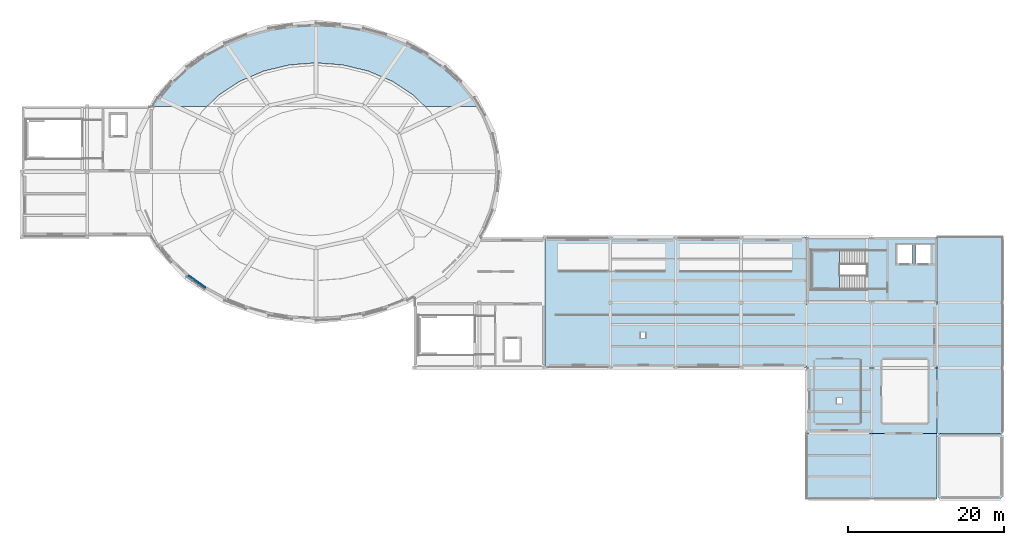
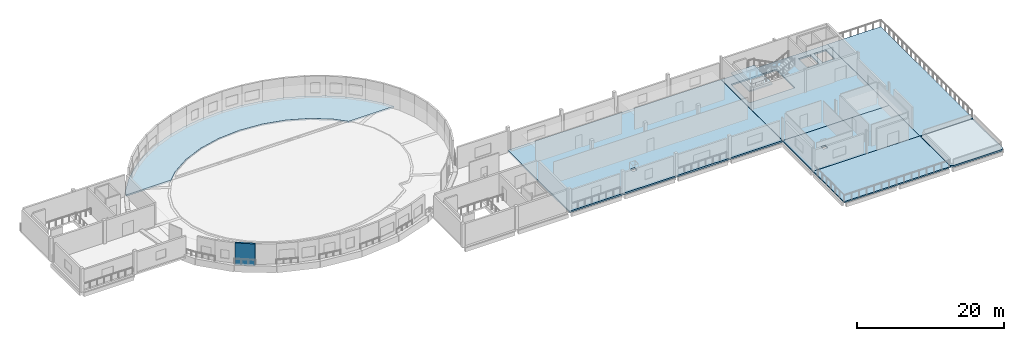
# One storey, part 6 of 16: 8 slabs, 1 wall, 1 element without a shape of its own.
"""IFC4 building model written with IfcOpenShell, lengths in metres."""

from ifc_helpers import new_model, si_unit, derived_unit, direction, frame, frame_2d, origin, place, context, subcontext, project, spatial, polyline, rectangle, outline, extrude, material, layer, layer_set, type_object, element, aggregate, save


model = new_model("IFC4")

# Units and contexts
model_context = context("Model", 3, precision=1e-05, world=origin(), true_north=direction((0.0, 1.0)))
body_context = subcontext(model_context, "Body", "Model", "MODEL_VIEW")
ifc_project = project(units=[si_unit("LENGTHUNIT", "METRE"), si_unit("AREAUNIT", "SQUARE_METRE"), si_unit("VOLUMEUNIT", "CUBIC_METRE"), si_unit("PLANEANGLEUNIT", "RADIAN"), si_unit("MASSUNIT", "GRAM", prefix="KILO"), derived_unit("THERMALTRANSMITTANCEUNIT", [(si_unit("POWERUNIT", "WATT"), 1), (si_unit("LENGTHUNIT", "METRE"), -2), (si_unit("THERMODYNAMICTEMPERATUREUNIT", "KELVIN"), -1)])], contexts=[model_context])

# Site, building, storey
site_placement = place(None, origin())
site = spatial("IfcSite", under=ifc_project, at=site_placement, CompositionType="ELEMENT")
building_placement = place(site_placement, origin())
building = spatial("IfcBuilding", under=site, at=building_placement, Name="Elbkamm Science Centre", CompositionType="ELEMENT")
storey_placement = place(building_placement, frame((0.0, 0.0, 21.60009765625)))
storey = spatial("IfcBuildingStorey", under=building, at=storey_placement, Name="L05", CompositionType="ELEMENT", Elevation=21.60009765625)

# Slabs
ifc_material_1 = material(Name="Exposed freeze-thaw concrete C40/50", Category="concrete")
ifc_layer_1 = layer(ifc_material_1, 0.219970703125)
ifc_layer_set_1 = layer_set([ifc_layer_1], Name="Exposed freeze-thaw concrete C40/50")
slab_type_1 = type_object("IfcSlabType", Name="SLAB-DECK-220", PredefinedType="FLOOR", material=ifc_layer_set_1)
slab_1_placement = place(storey_placement, frame((0.0, 0.0, -0.22021484375)))
element("IfcSlab", 1, at=slab_1_placement, inside=storey, type_object=slab_type_1, Name="South Rooftop Observatory Terrace", PredefinedType="FLOOR", context=body_context, shape_type="SweptSolid", body=[
    extrude(outline(polyline([(126.02490234375, 25.199951171875), (126.02490234375, 33.594970703125), (142.800048828125, 33.594970703125), (142.800048828125, 25.199951171875), (126.02490234375, 25.199951171875)])), origin(), (0.0, 0.0, 1.0), 0.22021484375),
])
slab_2_placement = place(storey_placement, frame((0.0, 0.0, -0.22021484375)))
element("IfcSlab", 2, at=slab_2_placement, inside=storey, type_object=slab_type_1, Name="East Elbe Panorama Observatory Terrace", PredefinedType="FLOOR", context=body_context, shape_type="SweptSolid", body=[
    extrude(outline(polyline([(151.199951171875, 33.60009765625), (142.804931640625, 33.60009765625), (142.804931640625, 58.800048828125), (151.199951171875, 58.800048828125), (151.199951171875, 33.60009765625)])), origin(), (0.0, 0.0, 1.0), 0.22021484375),
])
ifc_material_2 = material(Name="Reinforced concrete C40/50", Category="concrete")
ifc_layer_2 = layer(ifc_material_2, 0.260009765625)
ifc_layer_set_2 = layer_set([ifc_layer_2], Name="Reinforced concrete C40/50")
slab_type_2 = type_object("IfcSlabType", Name="SLAB-FLR-260", PredefinedType="FLOOR", material=ifc_layer_set_2)
slab_3_placement = place(storey_placement, frame((0.0, 0.0, -0.260009765625)))
element("IfcSlab", 3, at=slab_3_placement, inside=storey, type_object=slab_type_2, Name="L05 Structural Slab CN-03", PredefinedType="FLOOR", context=body_context, shape_type="SweptSolid", body=[
    extrude(outline(polyline([(42.561767578125, 76.800048828125), (44.27685546875, 78.88818359375), (46.312255859375, 80.776611328125), (48.63330078125, 82.432373046875), (51.199951171875, 83.82763671875), (53.96875, 84.9384765625), (56.891845703125, 85.745849609375), (59.919677734375, 86.235595703125), (63.0, 86.39990234375), (66.080322265625, 86.235595703125), (69.108154296875, 85.745849609375), (72.03125, 84.9384765625), (74.800048828125, 83.82763671875), (77.36669921875, 82.432373046875), (79.687744140625, 80.776611328125), (81.72314453125, 78.88818359375), (83.438232421875, 76.800048828125), (84.16552734375, 75.60009765625), (76.9921875, 75.60009765625), (75.445068359375, 77.099609375), (72.778076171875, 78.840576171875), (69.735107421875, 80.13427734375), (66.43359375, 80.930908203125), (63.0, 81.199951171875), (59.56640625, 80.930908203125), (56.264892578125, 80.13427734375), (53.221923828125, 78.840576171875), (50.554931640625, 77.099609375), (49.0078125, 75.60009765625), (42.0, 75.60009765625), (42.0, 75.873291015625), (42.561767578125, 76.800048828125)])), origin(), (0.0, 0.0, 1.0), 0.260009765625),
])
slab_4_placement = place(storey_placement, frame((0.0, 0.0, -0.260009765625)))
element("IfcSlab", 4, at=slab_4_placement, inside=storey, type_object=slab_type_2, Name="L05 Structural Slab MM-04", PredefinedType="FLOOR", context=body_context, shape_type="SweptSolid", body=[
    extrude(outline(polyline([(125.97509765625, 42.0), (92.39990234375, 42.0), (92.39990234375, 58.800048828125), (125.97509765625, 58.800048828125), (125.97509765625, 42.0)]), holes=[polyline([(105.35009765625, 46.550048828125), (104.64990234375, 46.550048828125), (104.64990234375, 45.85009765625), (105.35009765625, 45.85009765625), (105.35009765625, 46.550048828125)])]), origin(), (0.0, 0.0, 1.0), 0.260009765625),
])
slab_5_placement = place(storey_placement, frame((0.0, 0.0, -0.260009765625)))
element("IfcSlab", 5, at=slab_5_placement, inside=storey, type_object=slab_type_2, Name="L05 Structural Slab E1S-05", PredefinedType="FLOOR", context=body_context, shape_type="SweptSolid", body=[
    extrude(outline(polyline([(126.02490234375, 33.60009765625), (126.02490234375, 42.0), (142.800048828125, 42.0), (142.800048828125, 33.60009765625), (126.02490234375, 33.60009765625)]), holes=[polyline([(130.550048828125, 38.14990234375), (129.85009765625, 38.14990234375), (129.85009765625, 37.449951171875), (130.550048828125, 37.449951171875), (130.550048828125, 38.14990234375)])]), origin(), (0.0, 0.0, 1.0), 0.260009765625),
])
slab_6_placement = place(storey_placement, frame((0.0, 0.0, -0.260009765625)))
element("IfcSlab", 6, at=slab_6_placement, inside=storey, type_object=slab_type_2, Name="L05 Structural Slab E1M-06", PredefinedType="FLOOR", context=body_context, shape_type="SweptSolid", body=[
    extrude(outline(polyline([(142.800048828125, 50.39990234375), (142.800048828125, 42.0), (126.02490234375, 42.0), (126.02490234375, 58.800048828125), (142.800048828125, 58.800048828125), (142.800048828125, 50.39990234375)]), holes=[polyline([(133.780029296875, 52.080078125), (133.780029296875, 57.1201171875), (126.60009765625, 57.1201171875), (126.60009765625, 52.080078125), (133.780029296875, 52.080078125)]), polyline([(139.550048828125, 55.39990234375), (139.550048828125, 57.800048828125), (137.64990234375, 57.800048828125), (137.64990234375, 55.39990234375), (139.550048828125, 55.39990234375)]), polyline([(140.050048828125, 55.39990234375), (141.949951171875, 55.39990234375), (141.949951171875, 57.800048828125), (140.050048828125, 57.800048828125), (140.050048828125, 55.39990234375)])]), origin(), (0.0, 0.0, 1.0), 0.260009765625),
])

# Stair, slab
stair_type = type_object("IfcStairType", Name="ST-TWO-24R-182", PredefinedType="USERDEFINED", material=ifc_material_2)
stair_placement = place(storey_placement, origin())
stair = element("IfcStair", 7, at=stair_placement, inside=storey, type_object=stair_type, Name="L05 Core C3 Northeast Laboratories and Observatory Core Escape Stair", ObjectType="TWO_RETURN_STAIR", PredefinedType="USERDEFINED")
ifc_layer_3 = layer(ifc_material_2, 0.199951171875)
ifc_layer_set_3 = layer_set([ifc_layer_3], Name="Reinforced concrete C40/50")
slab_type_3 = type_object("IfcSlabType", Name="SLAB-LAND-200", PredefinedType="LANDING", material=ifc_layer_set_3)
slab_7_placement = place(storey_placement, frame((0.0, 0.0, 1.75)))
slab_7 = element("IfcSlab", 8, at=slab_7_placement, type_object=slab_type_3, Name="ST-C3 landing 1", PredefinedType="LANDING", context=body_context, shape_type="SweptSolid", body=[
    extrude(outline(polyline([(130.260009765625, 57.1201171875), (126.60009765625, 57.1201171875), (126.60009765625, 52.080078125), (130.260009765625, 52.080078125), (130.260009765625, 57.1201171875)])), origin(), (0.0, 0.0, 1.0), 0.199951171875),
])
aggregate(stair, [slab_7])

# Slab
ifc_layer_4 = layer(ifc_material_2, 0.260009765625)
ifc_layer_set_4 = layer_set([ifc_layer_4], Name="Reinforced concrete C40/50")
slab_type_4 = type_object("IfcSlabType", Name="SLAB-ROOF-260", PredefinedType="ROOF", material=ifc_layer_set_4)
slab_8_placement = place(storey_placement, frame((0.0, 0.0, -0.260009765625)))
element("IfcSlab", 9, at=slab_8_placement, inside=storey, type_object=slab_type_4, Name="L05 Step-Back Roof Slab 03", PredefinedType="ROOF", context=body_context, shape_type="SweptSolid", body=[
    extrude(outline(polyline([(143.192138671875, 25.20849609375), (143.1494140625, 25.219482421875), (143.10791015625, 25.234375), (143.06787109375, 25.253173828125), (143.030029296875, 25.27587890625), (142.994384765625, 25.302001953125), (142.9619140625, 25.331787109375), (142.93212890625, 25.364501953125), (142.90576171875, 25.39990234375), (142.883056640625, 25.43798828125), (142.8642578125, 25.477783203125), (142.849365234375, 25.519287109375), (142.838623046875, 25.562255859375), (142.832275390625, 25.60595703125), (142.830078125, 25.64990234375), (142.830078125, 33.1201171875), (142.832275390625, 33.1640625), (142.838623046875, 33.207763671875), (142.849365234375, 33.25048828125), (142.8642578125, 33.292236328125), (142.883056640625, 33.33203125), (142.90576171875, 33.3701171875), (142.93212890625, 33.405517578125), (142.9619140625, 33.438232421875), (142.994384765625, 33.468017578125), (143.030029296875, 33.494140625), (143.06787109375, 33.516845703125), (143.10791015625, 33.53564453125), (143.1494140625, 33.550537109375), (143.192138671875, 33.561279296875), (143.23583984375, 33.56787109375), (143.280029296875, 33.570068359375), (150.75, 33.570068359375), (150.794189453125, 33.56787109375), (150.837890625, 33.561279296875), (150.880615234375, 33.550537109375), (150.922119140625, 33.53564453125), (150.962158203125, 33.516845703125), (151.0, 33.494140625), (151.035400390625, 33.468017578125), (151.068115234375, 33.438232421875), (151.097900390625, 33.405517578125), (151.124267578125, 33.3701171875), (151.14697265625, 33.33203125), (151.165771484375, 33.292236328125), (151.1806640625, 33.25048828125), (151.19140625, 33.207763671875), (151.19775390625, 33.1640625), (151.199951171875, 33.1201171875), (151.199951171875, 25.64990234375), (151.19775390625, 25.60595703125), (151.19140625, 25.562255859375), (151.1806640625, 25.519287109375), (151.165771484375, 25.477783203125), (151.14697265625, 25.43798828125), (151.124267578125, 25.39990234375), (151.097900390625, 25.364501953125), (151.068115234375, 25.331787109375), (151.035400390625, 25.302001953125), (151.0, 25.27587890625), (150.962158203125, 25.253173828125), (150.922119140625, 25.234375), (150.880615234375, 25.219482421875), (150.837890625, 25.20849609375), (150.794189453125, 25.2021484375), (150.75, 25.199951171875), (143.280029296875, 25.199951171875), (143.23583984375, 25.2021484375), (143.192138671875, 25.20849609375)])), origin(), (0.0, 0.0, 1.0), 0.260009765625),
])

# Wall
ifc_material_3 = material(Name="White precast concrete C40/50", Category="concrete")
ifc_layer_5 = layer(ifc_material_3, 0.27001953125)
ifc_layer_set_5 = layer_set([ifc_layer_5], Name="White precast concrete C40/50")
wall_type = type_object("IfcWallType", Name="WL-EXT-270", PredefinedType="SOLIDWALL", material=ifc_layer_set_5)
wall_placement = place(storey_placement, frame((48.8349609375, 52.290283203125, 0.0), z_axis=(0.0, 0.0, 1.0), x_axis=(-0.813998177016, 0.580867427056, 0.0)))
element("IfcWall", 10, at=wall_placement, inside=storey, type_object=wall_type, Name="L05 Exterior Wall 0355", PredefinedType="SOLIDWALL", context=body_context, shape_type="SweptSolid", body=[
    extrude(rectangle(XDim=2.803466796875, YDim=0.27001953125, at=frame_2d((1.40185546875, 0.0))), origin(), (0.0, 0.0, 1.0), 3.639892578125),
])

save(model, "model.ifc")
